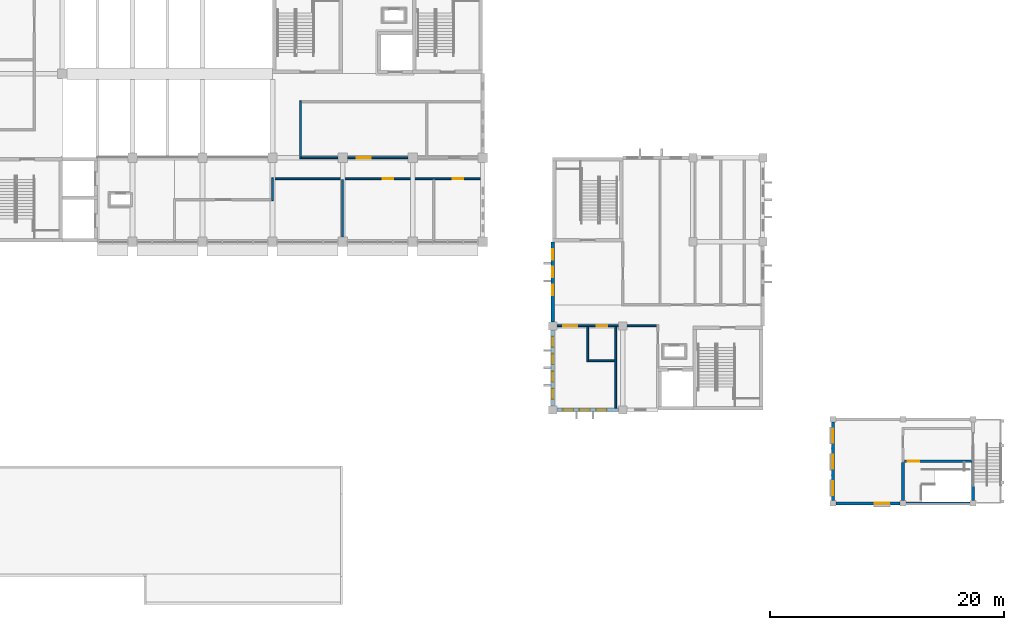
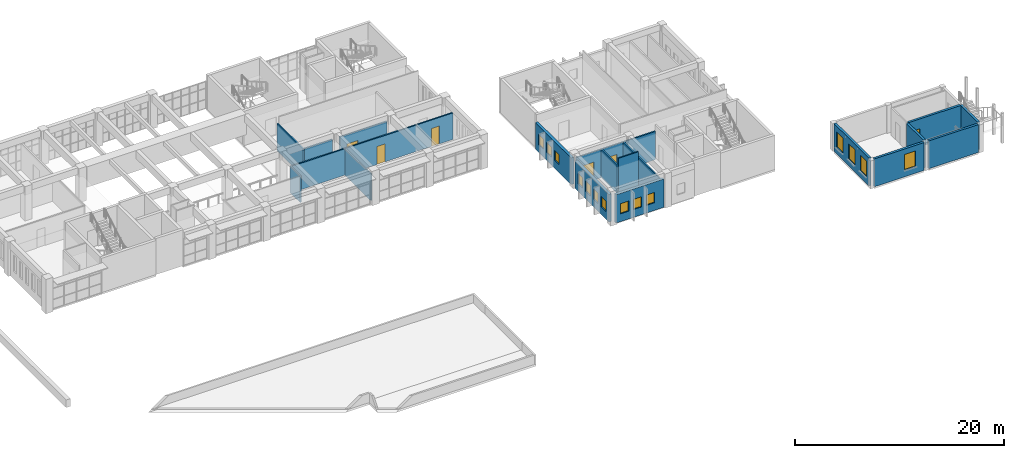
# One storey, part 33 of 47: 19 walls, 14 windows, 6 doors, 20 openings.
"""IFC4 building model written with IfcOpenShell, lengths in metres."""

from ifc_helpers import new_model, si_unit, direction, frame, frame_2d, origin, place, context, subcontext, project, spatial, rectangle, extrude, material, layer, layer_set, type_object, element, fill, save


model = new_model("IFC4")

# Units and contexts
model_context = context("Model", 3, precision=1e-05, world=origin(), true_north=direction((0.0, 1.0)))
body_context = subcontext(model_context, "Body", "Model", "MODEL_VIEW")
ifc_project = project(units=[si_unit("LENGTHUNIT", "METRE"), si_unit("AREAUNIT", "SQUARE_METRE"), si_unit("VOLUMEUNIT", "CUBIC_METRE"), si_unit("PLANEANGLEUNIT", "RADIAN"), si_unit("MASSUNIT", "GRAM", prefix="KILO")], contexts=[model_context])

# Site, building, storey
site_placement = place(None, origin())
site = spatial("IfcSite", under=ifc_project, at=site_placement, CompositionType="ELEMENT")
building_placement = place(site_placement, origin())
building = spatial("IfcBuilding", under=site, at=building_placement, Name="Laocheng Heights Fire and Rescue Headquarters", CompositionType="ELEMENT")
storey_placement = place(building_placement, frame((0.0, 0.0, 16.800048828125)))
storey = spatial("IfcBuildingStorey", under=building, at=storey_placement, Name="L04", CompositionType="ELEMENT", Elevation=16.800048828125)

# Walls
ifc_material_1 = material(Name="Gypsum plaster")
ifc_layer_1 = layer(ifc_material_1, 0.010009765625, Name="PLASTER", Category="plaster")
ifc_material_2 = material(Name="Concrete blockwork MU10", Category="masonry")
ifc_layer_2 = layer(ifc_material_2, 0.1298828125, Name="BLOCKWORK", Category="masonry")
ifc_layer_3 = layer(ifc_material_1, 0.010009765625, Name="PLASTER", Category="plaster")
ifc_layer_set_1 = layer_set([ifc_layer_1, ifc_layer_2, ifc_layer_3], Name="Concrete blockwork MU10")
wall_type_1 = type_object("IfcWallType", Name="BLOCKWORK CORRIDOR WALL 150 EI 60 CREW WING", PredefinedType="PARTITIONING", material=ifc_layer_set_1)
wall_1_placement = place(storey_placement, frame((93.0, 40.125, 0.0), z_axis=(0.0, 0.0, 1.0), x_axis=(0.0, 1.0, 0.0)))
element("IfcWall", 1, at=wall_1_placement, inside=storey, type_object=wall_type_1, Name="Partition L04-001", PredefinedType="PARTITIONING", context=body_context, shape_type="SweptSolid", body=[
    extrude(rectangle(XDim=3.0, YDim=0.14990234375, at=frame_2d((1.5, 0.0))), origin(), (0.0, 0.0, 1.0), 3.300048828125),
])
wall_2_placement = place(storey_placement, frame((95.39990234375, 36.14990234375, 0.0), z_axis=(0.0, 0.0, 1.0), x_axis=(0.0, 1.0, 0.0)))
element("IfcWall", 2, at=wall_2_placement, inside=storey, type_object=wall_type_1, Name="Partition L04-002", PredefinedType="PARTITIONING", context=body_context, shape_type="SweptSolid", body=[
    extrude(rectangle(XDim=6.97509765625, YDim=0.14990234375, at=frame_2d((3.487548828125, 0.0))), origin(), (0.0, 0.0, 1.0), 3.300048828125),
])
wall_3_placement = place(storey_placement, frame((93.074951171875, 40.199951171875, 0.0), z_axis=(0.0, 0.0, 1.0), x_axis=(1.0, 0.0, 0.0)))
element("IfcWall", 3, at=wall_3_placement, inside=storey, type_object=wall_type_1, Name="Partition L04-010", PredefinedType="PARTITIONING", context=body_context, shape_type="SweptSolid", body=[
    extrude(rectangle(XDim=2.25, YDim=0.14990234375, at=frame_2d((1.125, 0.0))), origin(), (0.0, 0.0, 1.0), 4.0),
])

# Wall, openings, doors
wall_4_placement = place(storey_placement, frame((90.14990234375, 43.199951171875, 0.0), z_axis=(0.0, 0.0, 1.0), x_axis=(1.0, 0.0, 0.0)))
wall_4 = element("IfcWall", 4, at=wall_4_placement, inside=storey, type_object=wall_type_1, Name="Partition L04-011", PredefinedType="PARTITIONING", context=body_context, shape_type="SweptSolid", body=[
    extrude(rectangle(XDim=8.775146484375, YDim=0.14990234375, at=frame_2d((4.3876953125, 0.0))), origin(), (0.0, 0.0, 1.0), 3.300048828125),
])
opening_1_placement = place(wall_4_placement, frame((0.75, 0.0, 0.0)))
opening_1 = element("IfcOpeningElement", 5, at=opening_1_placement, cuts=wall_4, Name="Opening L04-T03", PredefinedType="OPENING", context=body_context, shape_type="SweptSolid", body=[
    extrude(rectangle(XDim=1.199951171875, YDim=2.10009765625, at=frame_2d((0.60009765625, 1.050048828125))), frame((0.0, 0.0849609375, 0.0), z_axis=(0.0, -1.0, 0.0), x_axis=(1.0, 0.0, 0.0)), (0.0, 0.0, 1.0), 0.169921875),
])
opening_2_placement = place(wall_4_placement, frame((3.60009765625, 0.0, 0.0)))
opening_2 = element("IfcOpeningElement", 6, at=opening_2_placement, cuts=wall_4, Name="Opening L04-T04", PredefinedType="OPENING", context=body_context, shape_type="SweptSolid", body=[
    extrude(rectangle(XDim=0.89990234375, YDim=2.10009765625, at=frame_2d((0.449951171875, 1.050048828125))), frame((0.0, 0.0849609375, 0.0), z_axis=(0.0, -1.0, 0.0), x_axis=(1.0, 0.0, 0.0)), (0.0, 0.0, 1.0), 0.169921875),
])
ifc_material_3 = material(Name="Timber door leaf, veneered", Category="wood")
door_type_1 = type_object("IfcDoorType", Name="TIMBER DOOR 1200x2100 EI 30 CREW WING", OperationType="SINGLE_SWING_LEFT", PredefinedType="DOOR", material=ifc_material_3)
door_1_placement = place(opening_1_placement, frame((1.199951171875, 0.0, 0.0), z_axis=(0.0, 0.0, 1.0), x_axis=(-1.0, 0.0, 0.0)))
door_1 = element("IfcDoor", 7, at=door_1_placement, inside=storey, type_object=door_type_1, Name="Door L04-T03", OperationType="SINGLE_SWING_RIGHT", OverallHeight=2.10009765625, OverallWidth=1.199951171875, PredefinedType="DOOR", context=body_context, shape_type="SweptSolid", body=[
    extrude(rectangle(XDim=1.199951171875, YDim=2.10009765625, at=frame_2d((0.60009765625, 1.050048828125))), frame((0.0, 0.02490234375, 0.0), z_axis=(0.0, -1.0, 0.0), x_axis=(1.0, 0.0, 0.0)), (0.0, 0.0, 1.0), 0.050048828125),
])
fill(opening_1, door_1)
ifc_material_4 = material(Name="Timber door leaf, veneered", Category="wood")
door_type_2 = type_object("IfcDoorType", Name="TIMBER DOOR 900x2100 EI 30 CREW WING", OperationType="SINGLE_SWING_LEFT", PredefinedType="DOOR", material=ifc_material_4)
door_2_placement = place(opening_2_placement, frame((0.89990234375, 0.0, 0.0), z_axis=(0.0, 0.0, 1.0), x_axis=(-1.0, 0.0, 0.0)))
door_2 = element("IfcDoor", 8, at=door_2_placement, inside=storey, type_object=door_type_2, Name="Door L04-T04", OperationType="SINGLE_SWING_RIGHT", OverallHeight=2.10009765625, OverallWidth=0.89990234375, PredefinedType="DOOR", context=body_context, shape_type="SweptSolid", body=[
    extrude(rectangle(XDim=0.89990234375, YDim=2.10009765625, at=frame_2d((0.449951171875, 1.050048828125))), frame((0.0, 0.02490234375, 0.0), z_axis=(0.0, -1.0, 0.0), x_axis=(1.0, 0.0, 0.0)), (0.0, 0.0, 1.0), 0.050048828125),
])
fill(opening_2, door_2)

# Walls
ifc_material_5 = material(Name="Gypsum plaster")
ifc_layer_4 = layer(ifc_material_5, 0.010009765625, Name="PLASTER", Category="plaster")
ifc_material_6 = material(Name="Concrete blockwork MU10", Category="masonry")
ifc_layer_5 = layer(ifc_material_6, 0.1298828125, Name="BLOCKWORK", Category="masonry")
ifc_layer_6 = layer(ifc_material_5, 0.010009765625, Name="PLASTER", Category="plaster")
ifc_layer_set_2 = layer_set([ifc_layer_4, ifc_layer_5, ifc_layer_6], Name="Concrete blockwork MU10")
wall_type_2 = type_object("IfcWallType", Name="BLOCKWORK CORRIDOR WALL 150 EI 60 HQ WING", PredefinedType="PARTITIONING", material=ifc_layer_set_2)
wall_5_placement = place(storey_placement, frame((66.0, 53.925048828125, 0.0), z_axis=(0.0, 0.0, 1.0), x_axis=(0.0, 1.0, 0.0)))
element("IfcWall", 9, at=wall_5_placement, inside=storey, type_object=wall_type_2, Name="Partition L04-004", PredefinedType="PARTITIONING", context=body_context, shape_type="SweptSolid", body=[
    extrude(rectangle(XDim=1.949951171875, YDim=0.14990234375, at=frame_2d((0.97509765625, 0.0))), origin(), (0.0, 0.0, 1.0), 3.099853515625),
])
wall_6_placement = place(storey_placement, frame((68.39990234375, 57.52490234375, 0.0), z_axis=(0.0, 0.0, 1.0), x_axis=(0.0, 1.0, 0.0)))
element("IfcWall", 10, at=wall_6_placement, inside=storey, type_object=wall_type_2, Name="Partition L04-005", PredefinedType="PARTITIONING", context=body_context, shape_type="SweptSolid", body=[
    extrude(rectangle(XDim=4.9501953125, YDim=0.14990234375, at=frame_2d((2.47509765625, 0.0))), origin(), (0.0, 0.0, 1.0), 3.199951171875),
])
wall_7_placement = place(storey_placement, frame((72.0, 50.800048828125, 0.0), z_axis=(0.0, 0.0, 1.0), x_axis=(0.0, 1.0, 0.0)))
element("IfcWall", 11, at=wall_7_placement, inside=storey, type_object=wall_type_2, Name="Partition L04-006", PredefinedType="PARTITIONING", context=body_context, shape_type="SweptSolid", body=[
    extrude(rectangle(XDim=4.925048828125, YDim=0.14990234375, at=frame_2d((2.46240234375, 0.0))), origin(), (0.0, 0.0, 1.0), 3.099853515625),
])

# Wall, openings, doors
wall_8_placement = place(storey_placement, frame((66.074951171875, 55.800048828125, 0.0), z_axis=(0.0, 0.0, 1.0), x_axis=(1.0, 0.0, 0.0)))
wall_8 = element("IfcWall", 12, at=wall_8_placement, inside=storey, type_object=wall_type_2, Name="Partition L04-011", PredefinedType="PARTITIONING", context=body_context, shape_type="SweptSolid", body=[
    extrude(rectangle(XDim=17.775146484375, YDim=0.14990234375, at=frame_2d((8.8876953125, 0.0))), origin(), (0.0, 0.0, 1.0), 3.099853515625),
])
opening_3_placement = place(wall_8_placement, frame((9.375, 0.0, 0.0)))
opening_3 = element("IfcOpeningElement", 13, at=opening_3_placement, cuts=wall_8, Name="Opening L04-Y04", PredefinedType="OPENING", context=body_context, shape_type="SweptSolid", body=[
    extrude(rectangle(XDim=0.89990234375, YDim=2.10009765625, at=frame_2d((0.449951171875, 1.050048828125))), frame((0.0, 0.0849609375, 0.0), z_axis=(0.0, -1.0, 0.0), x_axis=(1.0, 0.0, 0.0)), (0.0, 0.0, 1.0), 0.169921875),
])
opening_4_placement = place(wall_8_placement, frame((15.375, 0.0, 0.0)))
opening_4 = element("IfcOpeningElement", 14, at=opening_4_placement, cuts=wall_8, Name="Opening L04-Y05", PredefinedType="OPENING", context=body_context, shape_type="SweptSolid", body=[
    extrude(rectangle(XDim=0.89990234375, YDim=2.10009765625, at=frame_2d((0.449951171875, 1.050048828125))), frame((0.0, 0.0849609375, 0.0), z_axis=(0.0, -1.0, 0.0), x_axis=(1.0, 0.0, 0.0)), (0.0, 0.0, 1.0), 0.169921875),
])
ifc_material_7 = material(Name="Timber door leaf, veneered", Category="wood")
door_type_3 = type_object("IfcDoorType", Name="TIMBER DOOR 900x2100 EI 30 HQ WING", OperationType="SINGLE_SWING_LEFT", PredefinedType="DOOR", material=ifc_material_7)
door_3_placement = place(opening_3_placement, frame((0.89990234375, 0.0, 0.0), z_axis=(0.0, 0.0, 1.0), x_axis=(-1.0, 0.0, 0.0)))
door_3 = element("IfcDoor", 15, at=door_3_placement, inside=storey, type_object=door_type_3, Name="Door L04-Y04", OperationType="SINGLE_SWING_RIGHT", OverallHeight=2.10009765625, OverallWidth=0.89990234375, PredefinedType="DOOR", context=body_context, shape_type="SweptSolid", body=[
    extrude(rectangle(XDim=0.89990234375, YDim=2.10009765625, at=frame_2d((0.449951171875, 1.050048828125))), frame((0.0, 0.02490234375, 0.0), z_axis=(0.0, -1.0, 0.0), x_axis=(1.0, 0.0, 0.0)), (0.0, 0.0, 1.0), 0.050048828125),
])
fill(opening_3, door_3)
door_4_placement = place(opening_4_placement, frame((0.89990234375, 0.0, 0.0), z_axis=(0.0, 0.0, 1.0), x_axis=(-1.0, 0.0, 0.0)))
door_4 = element("IfcDoor", 16, at=door_4_placement, inside=storey, type_object=door_type_3, Name="Door L04-Y05", OperationType="SINGLE_SWING_LEFT", OverallHeight=2.10009765625, OverallWidth=0.89990234375, PredefinedType="DOOR", context=body_context, shape_type="SweptSolid", body=[
    extrude(rectangle(XDim=0.89990234375, YDim=2.10009765625, at=frame_2d((0.449951171875, 1.050048828125))), frame((0.0, 0.02490234375, 0.0), z_axis=(0.0, -1.0, 0.0), x_axis=(1.0, 0.0, 0.0)), (0.0, 0.0, 1.0), 0.050048828125),
])
fill(opening_4, door_4)

# Wall
wall_9_placement = place(storey_placement, frame((68.47509765625, 57.60009765625, 0.0), z_axis=(0.0, 0.0, 1.0), x_axis=(1.0, 0.0, 0.0)))
element("IfcWall", 17, at=wall_9_placement, inside=storey, type_object=wall_type_2, Name="Partition L04-012", PredefinedType="PARTITIONING", context=body_context, shape_type="SweptSolid", body=[
    extrude(rectangle(XDim=3.125, YDim=0.14990234375, at=frame_2d((1.5625, 0.0))), origin(), (0.0, 0.0, 1.0), 3.199951171875),
])

# Wall, opening, door
wall_10_placement = place(storey_placement, frame((72.39990234375, 57.60009765625, 0.0), z_axis=(0.0, 0.0, 1.0), x_axis=(1.0, 0.0, 0.0)))
wall_10 = element("IfcWall", 18, at=wall_10_placement, inside=storey, type_object=wall_type_2, Name="Partition L04-013", PredefinedType="PARTITIONING", context=body_context, shape_type="SweptSolid", body=[
    extrude(rectangle(XDim=5.2001953125, YDim=0.14990234375, at=frame_2d((2.60009765625, 0.0))), origin(), (0.0, 0.0, 1.0), 3.199951171875),
])
opening_5_placement = place(wall_10_placement, frame((0.800048828125, 0.0, 0.0)))
opening_5 = element("IfcOpeningElement", 19, at=opening_5_placement, cuts=wall_10, Name="Opening L04-Y06", PredefinedType="OPENING", context=body_context, shape_type="SweptSolid", body=[
    extrude(rectangle(XDim=1.199951171875, YDim=2.10009765625, at=frame_2d((0.60009765625, 1.050048828125))), frame((0.0, 0.0849609375, 0.0), z_axis=(0.0, -1.0, 0.0), x_axis=(1.0, 0.0, 0.0)), (0.0, 0.0, 1.0), 0.169921875),
])
ifc_material_8 = material(Name="Timber door leaf, veneered", Category="wood")
door_type_4 = type_object("IfcDoorType", Name="TIMBER DOOR 1200x2100 EI 30 HQ WING", OperationType="SINGLE_SWING_LEFT", PredefinedType="DOOR", material=ifc_material_8)
door_5_placement = place(opening_5_placement, origin())
door_5 = element("IfcDoor", 20, at=door_5_placement, inside=storey, type_object=door_type_4, Name="Door L04-Y06", OperationType="SINGLE_SWING_LEFT", OverallHeight=2.10009765625, OverallWidth=1.199951171875, PredefinedType="DOOR", context=body_context, shape_type="SweptSolid", body=[
    extrude(rectangle(XDim=1.199951171875, YDim=2.10009765625, at=frame_2d((0.60009765625, 1.050048828125))), frame((0.0, 0.02490234375, 0.0), z_axis=(0.0, -1.0, 0.0), x_axis=(1.0, 0.0, 0.0)), (0.0, 0.0, 1.0), 0.050048828125),
])
fill(opening_5, door_5)

# Wall, openings, windows
ifc_material_9 = material(Name="Precast concrete C40/50", Category="concrete")
ifc_layer_7 = layer(ifc_material_9, 0.300048828125)
ifc_layer_set_3 = layer_set([ifc_layer_7], Name="Precast concrete C40/50")
wall_type_3 = type_object("IfcWallType", Name="PRECAST WALL PANEL CREW 300", PredefinedType="SOLIDWALL", material=ifc_layer_set_3)
wall_11_placement = place(storey_placement, frame((90.0, 36.35009765625, 0.0), z_axis=(0.0, 0.0, 1.0), x_axis=(0.0, 1.0, 0.0)))
wall_11 = element("IfcWall", 21, at=wall_11_placement, inside=storey, type_object=wall_type_3, Name="PRECAST WALL PANEL CREW CREW WEST L04", PredefinedType="SOLIDWALL", context=body_context, shape_type="SweptSolid", body=[
    extrude(rectangle(XDim=6.5, YDim=0.300048828125, at=frame_2d((3.25, 0.0))), origin(), (0.0, 0.0, 1.0), 3.199951171875),
])
opening_6_placement = place(wall_11_placement, frame((0.580078125, 0.0, 0.89990234375)))
opening_6 = element("IfcOpeningElement", 22, at=opening_6_placement, cuts=wall_11, Name="Opening N2-W", PredefinedType="OPENING", context=body_context, shape_type="SweptSolid", body=[
    extrude(rectangle(XDim=0.89990234375, YDim=1.199951171875, at=frame_2d((0.449951171875, 0.60009765625))), frame((0.0, 0.159912109375, 0.0), z_axis=(0.0, -1.0, 0.0), x_axis=(1.0, 0.0, 0.0)), (0.0, 0.0, 1.0), 0.320068359375),
])
opening_7_placement = place(wall_11_placement, frame((2.06005859375, 0.0, 0.89990234375)))
opening_7 = element("IfcOpeningElement", 23, at=opening_7_placement, cuts=wall_11, Name="Opening N2-W", PredefinedType="OPENING", context=body_context, shape_type="SweptSolid", body=[
    extrude(rectangle(XDim=0.89990234375, YDim=1.199951171875, at=frame_2d((0.449951171875, 0.60009765625))), frame((0.0, 0.159912109375, 0.0), z_axis=(0.0, -1.0, 0.0), x_axis=(1.0, 0.0, 0.0)), (0.0, 0.0, 1.0), 0.320068359375),
])
opening_8_placement = place(wall_11_placement, frame((3.5400390625, 0.0, 0.89990234375)))
opening_8 = element("IfcOpeningElement", 24, at=opening_8_placement, cuts=wall_11, Name="Opening N2-W", PredefinedType="OPENING", context=body_context, shape_type="SweptSolid", body=[
    extrude(rectangle(XDim=0.89990234375, YDim=1.199951171875, at=frame_2d((0.449951171875, 0.60009765625))), frame((0.0, 0.159912109375, 0.0), z_axis=(0.0, -1.0, 0.0), x_axis=(1.0, 0.0, 0.0)), (0.0, 0.0, 1.0), 0.320068359375),
])
opening_9_placement = place(wall_11_placement, frame((5.02001953125, 0.0, 0.89990234375)))
opening_9 = element("IfcOpeningElement", 25, at=opening_9_placement, cuts=wall_11, Name="Opening N2-W", PredefinedType="OPENING", context=body_context, shape_type="SweptSolid", body=[
    extrude(rectangle(XDim=0.89990234375, YDim=1.199951171875, at=frame_2d((0.449951171875, 0.60009765625))), frame((0.0, 0.159912109375, 0.0), z_axis=(0.0, -1.0, 0.0), x_axis=(1.0, 0.0, 0.0)), (0.0, 0.0, 1.0), 0.320068359375),
])
ifc_material_10 = material(Name="Low-e double glazing in aluminium frame", Category="aluminium")
window_type_1 = type_object("IfcWindowType", Name="WINDOW 900 x 1200 CREW DORMITORY", PartitioningType="SINGLE_PANEL", PredefinedType="WINDOW", material=ifc_material_10)
window_1_placement = place(opening_6_placement, origin())
window_1 = element("IfcWindow", 26, at=window_1_placement, inside=storey, type_object=window_type_1, Name="CREW DORMITORY CREW WEST L04", OverallHeight=1.199951171875, OverallWidth=0.89990234375, PartitioningType="SINGLE_PANEL", PredefinedType="WINDOW", context=body_context, shape_type="SweptSolid", body=[
    extrude(rectangle(XDim=0.89990234375, YDim=1.199951171875, at=frame_2d((0.449951171875, 0.60009765625))), frame((0.0, 0.030029296875, 0.0), z_axis=(0.0, -1.0, 0.0), x_axis=(1.0, 0.0, 0.0)), (0.0, 0.0, 1.0), 0.06005859375),
])
fill(opening_6, window_1)
window_2_placement = place(opening_7_placement, origin())
window_2 = element("IfcWindow", 27, at=window_2_placement, inside=storey, type_object=window_type_1, Name="CREW DORMITORY CREW WEST L04", OverallHeight=1.199951171875, OverallWidth=0.89990234375, PartitioningType="SINGLE_PANEL", PredefinedType="WINDOW", context=body_context, shape_type="SweptSolid", body=[
    extrude(rectangle(XDim=0.89990234375, YDim=1.199951171875, at=frame_2d((0.449951171875, 0.60009765625))), frame((0.0, 0.030029296875, 0.0), z_axis=(0.0, -1.0, 0.0), x_axis=(1.0, 0.0, 0.0)), (0.0, 0.0, 1.0), 0.06005859375),
])
fill(opening_7, window_2)
window_3_placement = place(opening_8_placement, origin())
window_3 = element("IfcWindow", 28, at=window_3_placement, inside=storey, type_object=window_type_1, Name="CREW DORMITORY CREW WEST L04", OverallHeight=1.199951171875, OverallWidth=0.89990234375, PartitioningType="SINGLE_PANEL", PredefinedType="WINDOW", context=body_context, shape_type="SweptSolid", body=[
    extrude(rectangle(XDim=0.89990234375, YDim=1.199951171875, at=frame_2d((0.449951171875, 0.60009765625))), frame((0.0, 0.030029296875, 0.0), z_axis=(0.0, -1.0, 0.0), x_axis=(1.0, 0.0, 0.0)), (0.0, 0.0, 1.0), 0.06005859375),
])
fill(opening_8, window_3)
window_4_placement = place(opening_9_placement, origin())
window_4 = element("IfcWindow", 29, at=window_4_placement, inside=storey, type_object=window_type_1, Name="CREW DORMITORY CREW WEST L04", OverallHeight=1.199951171875, OverallWidth=0.89990234375, PartitioningType="SINGLE_PANEL", PredefinedType="WINDOW", context=body_context, shape_type="SweptSolid", body=[
    extrude(rectangle(XDim=0.89990234375, YDim=1.199951171875, at=frame_2d((0.449951171875, 0.60009765625))), frame((0.0, 0.030029296875, 0.0), z_axis=(0.0, -1.0, 0.0), x_axis=(1.0, 0.0, 0.0)), (0.0, 0.0, 1.0), 0.06005859375),
])
fill(opening_9, window_4)

wall_12_placement = place(storey_placement, frame((90.0, 43.550048828125, 0.0), z_axis=(0.0, 0.0, 1.0), x_axis=(0.0, 1.0, 0.0)))
wall_12 = element("IfcWall", 30, at=wall_12_placement, inside=storey, type_object=wall_type_3, Name="PRECAST WALL PANEL CREW CREW WEST L04", PredefinedType="SOLIDWALL", context=body_context, shape_type="SweptSolid", body=[
    extrude(rectangle(XDim=6.849853515625, YDim=0.300048828125, at=frame_2d((3.4248046875, 0.0))), origin(), (0.0, 0.0, 1.0), 3.099853515625),
])
opening_10_placement = place(wall_12_placement, frame((2.27490234375, 0.0, 0.89990234375)))
opening_10 = element("IfcOpeningElement", 31, at=opening_10_placement, cuts=wall_12, Name="Opening N2-W", PredefinedType="OPENING", context=body_context, shape_type="SweptSolid", body=[
    extrude(rectangle(XDim=0.89990234375, YDim=1.199951171875, at=frame_2d((0.449951171875, 0.60009765625))), frame((0.0, 0.159912109375, 0.0), z_axis=(0.0, -1.0, 0.0), x_axis=(1.0, 0.0, 0.0)), (0.0, 0.0, 1.0), 0.320068359375),
])
opening_11_placement = place(wall_12_placement, frame((3.800048828125, 0.0, 0.89990234375)))
opening_11 = element("IfcOpeningElement", 32, at=opening_11_placement, cuts=wall_12, Name="Opening N2-W", PredefinedType="OPENING", context=body_context, shape_type="SweptSolid", body=[
    extrude(rectangle(XDim=0.89990234375, YDim=1.199951171875, at=frame_2d((0.449951171875, 0.60009765625))), frame((0.0, 0.159912109375, 0.0), z_axis=(0.0, -1.0, 0.0), x_axis=(1.0, 0.0, 0.0)), (0.0, 0.0, 1.0), 0.320068359375),
])
opening_12_placement = place(wall_12_placement, frame((5.324951171875, 0.0, 0.89990234375)))
opening_12 = element("IfcOpeningElement", 33, at=opening_12_placement, cuts=wall_12, Name="Opening N2-W", PredefinedType="OPENING", context=body_context, shape_type="SweptSolid", body=[
    extrude(rectangle(XDim=0.89990234375, YDim=1.199951171875, at=frame_2d((0.449951171875, 0.60009765625))), frame((0.0, 0.159912109375, 0.0), z_axis=(0.0, -1.0, 0.0), x_axis=(1.0, 0.0, 0.0)), (0.0, 0.0, 1.0), 0.320068359375),
])
window_5_placement = place(opening_10_placement, origin())
window_5 = element("IfcWindow", 34, at=window_5_placement, inside=storey, type_object=window_type_1, Name="CREW DORMITORY CREW WEST L04", OverallHeight=1.199951171875, OverallWidth=0.89990234375, PartitioningType="SINGLE_PANEL", PredefinedType="WINDOW", context=body_context, shape_type="SweptSolid", body=[
    extrude(rectangle(XDim=0.89990234375, YDim=1.199951171875, at=frame_2d((0.449951171875, 0.60009765625))), frame((0.0, 0.030029296875, 0.0), z_axis=(0.0, -1.0, 0.0), x_axis=(1.0, 0.0, 0.0)), (0.0, 0.0, 1.0), 0.06005859375),
])
fill(opening_10, window_5)
window_6_placement = place(opening_11_placement, origin())
window_6 = element("IfcWindow", 35, at=window_6_placement, inside=storey, type_object=window_type_1, Name="CREW DORMITORY CREW WEST L04", OverallHeight=1.199951171875, OverallWidth=0.89990234375, PartitioningType="SINGLE_PANEL", PredefinedType="WINDOW", context=body_context, shape_type="SweptSolid", body=[
    extrude(rectangle(XDim=0.89990234375, YDim=1.199951171875, at=frame_2d((0.449951171875, 0.60009765625))), frame((0.0, 0.030029296875, 0.0), z_axis=(0.0, -1.0, 0.0), x_axis=(1.0, 0.0, 0.0)), (0.0, 0.0, 1.0), 0.06005859375),
])
fill(opening_11, window_6)
window_7_placement = place(opening_12_placement, origin())
window_7 = element("IfcWindow", 36, at=window_7_placement, inside=storey, type_object=window_type_1, Name="CREW DORMITORY CREW WEST L04", OverallHeight=1.199951171875, OverallWidth=0.89990234375, PartitioningType="SINGLE_PANEL", PredefinedType="WINDOW", context=body_context, shape_type="SweptSolid", body=[
    extrude(rectangle(XDim=0.89990234375, YDim=1.199951171875, at=frame_2d((0.449951171875, 0.60009765625))), frame((0.0, 0.030029296875, 0.0), z_axis=(0.0, -1.0, 0.0), x_axis=(1.0, 0.0, 0.0)), (0.0, 0.0, 1.0), 0.06005859375),
])
fill(opening_12, window_7)

wall_13_placement = place(storey_placement, frame((90.35009765625, 36.0, 0.0), z_axis=(0.0, 0.0, 1.0), x_axis=(1.0, 0.0, 0.0)))
wall_13 = element("IfcWall", 37, at=wall_13_placement, inside=storey, type_object=wall_type_3, Name="PRECAST WALL PANEL CREW CREW SOUTH L04", PredefinedType="SOLIDWALL", context=body_context, shape_type="SweptSolid", body=[
    extrude(rectangle(XDim=5.2998046875, YDim=0.300048828125, at=frame_2d((2.64990234375, 0.0))), origin(), (0.0, 0.0, 1.0), 3.300048828125),
])
opening_13_placement = place(wall_13_placement, frame((0.52001953125, 0.0, 0.89990234375)))
opening_13 = element("IfcOpeningElement", 38, at=opening_13_placement, cuts=wall_13, Name="Opening N2-W", PredefinedType="OPENING", context=body_context, shape_type="SweptSolid", body=[
    extrude(rectangle(XDim=0.89990234375, YDim=1.199951171875, at=frame_2d((0.449951171875, 0.60009765625))), frame((0.0, 0.159912109375, 0.0), z_axis=(0.0, -1.0, 0.0), x_axis=(1.0, 0.0, 0.0)), (0.0, 0.0, 1.0), 0.320068359375),
])
opening_14_placement = place(wall_13_placement, frame((1.93994140625, 0.0, 0.89990234375)))
opening_14 = element("IfcOpeningElement", 39, at=opening_14_placement, cuts=wall_13, Name="Opening N2-W", PredefinedType="OPENING", context=body_context, shape_type="SweptSolid", body=[
    extrude(rectangle(XDim=0.89990234375, YDim=1.199951171875, at=frame_2d((0.449951171875, 0.60009765625))), frame((0.0, 0.159912109375, 0.0), z_axis=(0.0, -1.0, 0.0), x_axis=(1.0, 0.0, 0.0)), (0.0, 0.0, 1.0), 0.320068359375),
])
opening_15_placement = place(wall_13_placement, frame((3.360107421875, 0.0, 0.89990234375)))
opening_15 = element("IfcOpeningElement", 40, at=opening_15_placement, cuts=wall_13, Name="Opening N2-W", PredefinedType="OPENING", context=body_context, shape_type="SweptSolid", body=[
    extrude(rectangle(XDim=0.89990234375, YDim=1.199951171875, at=frame_2d((0.449951171875, 0.60009765625))), frame((0.0, 0.159912109375, 0.0), z_axis=(0.0, -1.0, 0.0), x_axis=(1.0, 0.0, 0.0)), (0.0, 0.0, 1.0), 0.320068359375),
])
window_8_placement = place(opening_13_placement, origin())
window_8 = element("IfcWindow", 41, at=window_8_placement, inside=storey, type_object=window_type_1, Name="CREW DORMITORY CREW SOUTH L04", OverallHeight=1.199951171875, OverallWidth=0.89990234375, PartitioningType="SINGLE_PANEL", PredefinedType="WINDOW", context=body_context, shape_type="SweptSolid", body=[
    extrude(rectangle(XDim=0.89990234375, YDim=1.199951171875, at=frame_2d((0.449951171875, 0.60009765625))), frame((0.0, 0.030029296875, 0.0), z_axis=(0.0, -1.0, 0.0), x_axis=(1.0, 0.0, 0.0)), (0.0, 0.0, 1.0), 0.06005859375),
])
fill(opening_13, window_8)
window_9_placement = place(opening_14_placement, origin())
window_9 = element("IfcWindow", 42, at=window_9_placement, inside=storey, type_object=window_type_1, Name="CREW DORMITORY CREW SOUTH L04", OverallHeight=1.199951171875, OverallWidth=0.89990234375, PartitioningType="SINGLE_PANEL", PredefinedType="WINDOW", context=body_context, shape_type="SweptSolid", body=[
    extrude(rectangle(XDim=0.89990234375, YDim=1.199951171875, at=frame_2d((0.449951171875, 0.60009765625))), frame((0.0, 0.030029296875, 0.0), z_axis=(0.0, -1.0, 0.0), x_axis=(1.0, 0.0, 0.0)), (0.0, 0.0, 1.0), 0.06005859375),
])
fill(opening_14, window_9)
window_10_placement = place(opening_15_placement, origin())
window_10 = element("IfcWindow", 43, at=window_10_placement, inside=storey, type_object=window_type_1, Name="CREW DORMITORY CREW SOUTH L04", OverallHeight=1.199951171875, OverallWidth=0.89990234375, PartitioningType="SINGLE_PANEL", PredefinedType="WINDOW", context=body_context, shape_type="SweptSolid", body=[
    extrude(rectangle(XDim=0.89990234375, YDim=1.199951171875, at=frame_2d((0.449951171875, 0.60009765625))), frame((0.0, 0.030029296875, 0.0), z_axis=(0.0, -1.0, 0.0), x_axis=(1.0, 0.0, 0.0)), (0.0, 0.0, 1.0), 0.06005859375),
])
fill(opening_15, window_10)

# Wall, opening, window
ifc_material_11 = material(Name="Concrete C40", Category="concrete")
ifc_layer_8 = layer(ifc_material_11, 0.25)
ifc_layer_set_4 = layer_set([ifc_layer_8], Name="Concrete C40")
wall_type_4 = type_object("IfcWallType", Name="RC SHEAR WALL 250 BOARD-MARKED DRILL TOWER", PredefinedType="SHEAR", material=ifc_layer_set_4)
wall_14_placement = place(storey_placement, frame((114.25, 28.0, 0.699951171875), z_axis=(0.0, 0.0, 1.0), x_axis=(1.0, 0.0, 0.0)))
wall_14 = element("IfcWall", 44, at=wall_14_placement, inside=storey, type_object=wall_type_4, Name="Drill tower wall S F6", PredefinedType="SHEAR", context=body_context, shape_type="SweptSolid", body=[
    extrude(rectangle(XDim=5.5, YDim=0.25, at=frame_2d((2.75, 0.0))), origin(), (0.0, 0.0, 1.0), 3.25),
])
opening_16_placement = place(wall_14_placement, frame((3.35009765625, 0.0, 0.800048828125)))
opening_16 = element("IfcOpeningElement", 45, at=opening_16_placement, cuts=wall_14, Name="Opening N7-L", PredefinedType="OPENING", context=body_context, shape_type="SweptSolid", body=[
    extrude(rectangle(XDim=1.199951171875, YDim=1.800048828125, at=frame_2d((0.60009765625, 0.89990234375))), frame((0.0, 0.135009765625, 0.0), z_axis=(0.0, -1.0, 0.0), x_axis=(1.0, 0.0, 0.0)), (0.0, 0.0, 1.0), 0.27001953125),
])
ifc_material_12 = material(Name="Steel frame, single glazing", Category="steel")
window_type_2 = type_object("IfcWindowType", Name="STEEL TRAINING WINDOW 1200 x 1800", PartitioningType="SINGLE_PANEL", PredefinedType="WINDOW", material=ifc_material_12)
window_11_placement = place(opening_16_placement, origin())
window_11 = element("IfcWindow", 46, at=window_11_placement, inside=storey, type_object=window_type_2, Name="Training window sixth floor south face", OverallHeight=1.800048828125, OverallWidth=1.199951171875, PartitioningType="SINGLE_PANEL", PredefinedType="WINDOW", context=body_context, shape_type="SweptSolid", body=[
    extrude(rectangle(XDim=1.199951171875, YDim=1.800048828125, at=frame_2d((0.60009765625, 0.89990234375))), frame((0.0, 0.030029296875, 0.0), z_axis=(0.0, -1.0, 0.0), x_axis=(1.0, 0.0, 0.0)), (0.0, 0.0, 1.0), 0.06005859375),
])
fill(opening_16, window_11)

# Wall, openings, windows
wall_15_placement = place(storey_placement, frame((114.0, 28.25, 0.699951171875), z_axis=(0.0, 0.0, 1.0), x_axis=(0.0, 1.0, 0.0)))
wall_15 = element("IfcWall", 47, at=wall_15_placement, inside=storey, type_object=wall_type_4, Name="Drill tower wall W F6", PredefinedType="SHEAR", context=body_context, shape_type="SweptSolid", body=[
    extrude(rectangle(XDim=6.699951171875, YDim=0.25, at=frame_2d((3.35009765625, 0.0))), origin(), (0.0, 0.0, 1.0), 3.25),
])
opening_17_placement = place(wall_15_placement, frame((0.449951171875, 0.0, 0.800048828125)))
opening_17 = element("IfcOpeningElement", 48, at=opening_17_placement, cuts=wall_15, Name="Opening N7-L", PredefinedType="OPENING", context=body_context, shape_type="SweptSolid", body=[
    extrude(rectangle(XDim=1.199951171875, YDim=1.800048828125, at=frame_2d((0.60009765625, 0.89990234375))), frame((0.0, 0.135009765625, 0.0), z_axis=(0.0, -1.0, 0.0), x_axis=(1.0, 0.0, 0.0)), (0.0, 0.0, 1.0), 0.27001953125),
])
opening_18_placement = place(wall_15_placement, frame((2.699951171875, 0.0, 0.800048828125)))
opening_18 = element("IfcOpeningElement", 49, at=opening_18_placement, cuts=wall_15, Name="Opening N7-L", PredefinedType="OPENING", context=body_context, shape_type="SweptSolid", body=[
    extrude(rectangle(XDim=1.199951171875, YDim=1.800048828125, at=frame_2d((0.60009765625, 0.89990234375))), frame((0.0, 0.135009765625, 0.0), z_axis=(0.0, -1.0, 0.0), x_axis=(1.0, 0.0, 0.0)), (0.0, 0.0, 1.0), 0.27001953125),
])
opening_19_placement = place(wall_15_placement, frame((4.949951171875, 0.0, 0.800048828125)))
opening_19 = element("IfcOpeningElement", 50, at=opening_19_placement, cuts=wall_15, Name="Opening N7-L", PredefinedType="OPENING", context=body_context, shape_type="SweptSolid", body=[
    extrude(rectangle(XDim=1.199951171875, YDim=1.800048828125, at=frame_2d((0.60009765625, 0.89990234375))), frame((0.0, 0.135009765625, 0.0), z_axis=(0.0, -1.0, 0.0), x_axis=(1.0, 0.0, 0.0)), (0.0, 0.0, 1.0), 0.27001953125),
])
window_12_placement = place(opening_17_placement, origin())
window_12 = element("IfcWindow", 51, at=window_12_placement, inside=storey, type_object=window_type_2, Name="Training window sixth floor west face", OverallHeight=1.800048828125, OverallWidth=1.199951171875, PartitioningType="SINGLE_PANEL", PredefinedType="WINDOW", context=body_context, shape_type="SweptSolid", body=[
    extrude(rectangle(XDim=1.199951171875, YDim=1.800048828125, at=frame_2d((0.60009765625, 0.89990234375))), frame((0.0, 0.030029296875, 0.0), z_axis=(0.0, -1.0, 0.0), x_axis=(1.0, 0.0, 0.0)), (0.0, 0.0, 1.0), 0.06005859375),
])
fill(opening_17, window_12)
window_13_placement = place(opening_18_placement, origin())
window_13 = element("IfcWindow", 52, at=window_13_placement, inside=storey, type_object=window_type_2, Name="Training window sixth floor west face", OverallHeight=1.800048828125, OverallWidth=1.199951171875, PartitioningType="SINGLE_PANEL", PredefinedType="WINDOW", context=body_context, shape_type="SweptSolid", body=[
    extrude(rectangle(XDim=1.199951171875, YDim=1.800048828125, at=frame_2d((0.60009765625, 0.89990234375))), frame((0.0, 0.030029296875, 0.0), z_axis=(0.0, -1.0, 0.0), x_axis=(1.0, 0.0, 0.0)), (0.0, 0.0, 1.0), 0.06005859375),
])
fill(opening_18, window_13)
window_14_placement = place(opening_19_placement, origin())
window_14 = element("IfcWindow", 53, at=window_14_placement, inside=storey, type_object=window_type_2, Name="Training window sixth floor west face", OverallHeight=1.800048828125, OverallWidth=1.199951171875, PartitioningType="SINGLE_PANEL", PredefinedType="WINDOW", context=body_context, shape_type="SweptSolid", body=[
    extrude(rectangle(XDim=1.199951171875, YDim=1.800048828125, at=frame_2d((0.60009765625, 0.89990234375))), frame((0.0, 0.030029296875, 0.0), z_axis=(0.0, -1.0, 0.0), x_axis=(1.0, 0.0, 0.0)), (0.0, 0.0, 1.0), 0.06005859375),
])
fill(opening_19, window_14)

# Walls
ifc_material_13 = material(Name="Concrete C50", Category="concrete")
ifc_layer_9 = layer(ifc_material_13, 0.25)
ifc_layer_set_5 = layer_set([ifc_layer_9], Name="Concrete C50")
wall_type_5 = type_object("IfcWallType", Name="RC STAIR ENCLOSURE WALL 250", PredefinedType="SHEAR", material=ifc_layer_set_5)
wall_16_placement = place(storey_placement, frame((120.25, 28.0, 0.699951171875), z_axis=(0.0, 0.0, 1.0), x_axis=(1.0, 0.0, 0.0)))
element("IfcWall", 54, at=wall_16_placement, inside=storey, type_object=wall_type_5, Name="Stair enclosure wall", PredefinedType="SHEAR", context=body_context, shape_type="SweptSolid", body=[
    extrude(rectangle(XDim=5.5, YDim=0.25, at=frame_2d((2.75, 0.0))), origin(), (0.0, 0.0, 1.0), 3.25),
])
wall_17_placement = place(storey_placement, frame((126.0, 28.25, 0.699951171875), z_axis=(0.0, 0.0, 1.0), x_axis=(0.0, 1.0, 0.0)))
element("IfcWall", 55, at=wall_17_placement, inside=storey, type_object=wall_type_5, Name="Stair enclosure wall", PredefinedType="SHEAR", context=body_context, shape_type="SweptSolid", body=[
    extrude(rectangle(XDim=3.35009765625, YDim=0.25, at=frame_2d((1.675048828125, 0.0))), origin(), (0.0, 0.0, 1.0), 3.25),
])
wall_18_placement = place(storey_placement, frame((120.0, 28.25, 0.699951171875), z_axis=(0.0, 0.0, 1.0), x_axis=(0.0, 1.0, 0.0)))
element("IfcWall", 56, at=wall_18_placement, inside=storey, type_object=wall_type_5, Name="Stair enclosure wall", PredefinedType="SHEAR", context=body_context, shape_type="SweptSolid", body=[
    extrude(rectangle(XDim=3.22509765625, YDim=0.25, at=frame_2d((1.612548828125, 0.0))), origin(), (0.0, 0.0, 1.0), 3.25),
])

# Wall, opening, door
wall_19_placement = place(storey_placement, frame((120.125, 31.60009765625, 0.699951171875), z_axis=(0.0, 0.0, 1.0), x_axis=(1.0, 0.0, 0.0)))
wall_19 = element("IfcWall", 57, at=wall_19_placement, inside=storey, type_object=wall_type_5, Name="Stair enclosure wall", PredefinedType="SHEAR", context=body_context, shape_type="SweptSolid", body=[
    extrude(rectangle(XDim=5.75, YDim=0.25, at=frame_2d((2.875, 0.0))), origin(), (0.0, 0.0, 1.0), 3.25),
])
opening_20_placement = place(wall_19_placement, frame((0.27490234375, 0.0, 0.0)))
opening_20 = element("IfcOpeningElement", 58, at=opening_20_placement, cuts=wall_19, Name="Opening L04-K17", PredefinedType="OPENING", context=body_context, shape_type="SweptSolid", body=[
    extrude(rectangle(XDim=1.0, YDim=2.10009765625, at=frame_2d((0.5, 1.050048828125))), frame((0.0, 0.135009765625, 0.0), z_axis=(0.0, -1.0, 0.0), x_axis=(1.0, 0.0, 0.0)), (0.0, 0.0, 1.0), 0.27001953125),
])
ifc_material_14 = material(Name="Painted steel", Category="steel")
door_type_5 = type_object("IfcDoorType", Name="FIRE DOOR 1000x2100 EI 60", OperationType="SINGLE_SWING_LEFT", PredefinedType="DOOR", material=ifc_material_14)
door_6_placement = place(opening_20_placement, origin())
door_6 = element("IfcDoor", 59, at=door_6_placement, inside=storey, type_object=door_type_5, Name="Stair T1 door", OperationType="SINGLE_SWING_LEFT", OverallHeight=2.10009765625, OverallWidth=1.0, PredefinedType="DOOR", context=body_context, shape_type="SweptSolid", body=[
    extrude(rectangle(XDim=1.0, YDim=2.10009765625, at=frame_2d((0.5, 1.050048828125))), frame((0.0, 0.02490234375, 0.0), z_axis=(0.0, -1.0, 0.0), x_axis=(1.0, 0.0, 0.0)), (0.0, 0.0, 1.0), 0.050048828125),
])
fill(opening_20, door_6)

save(model, "model.ifc")
